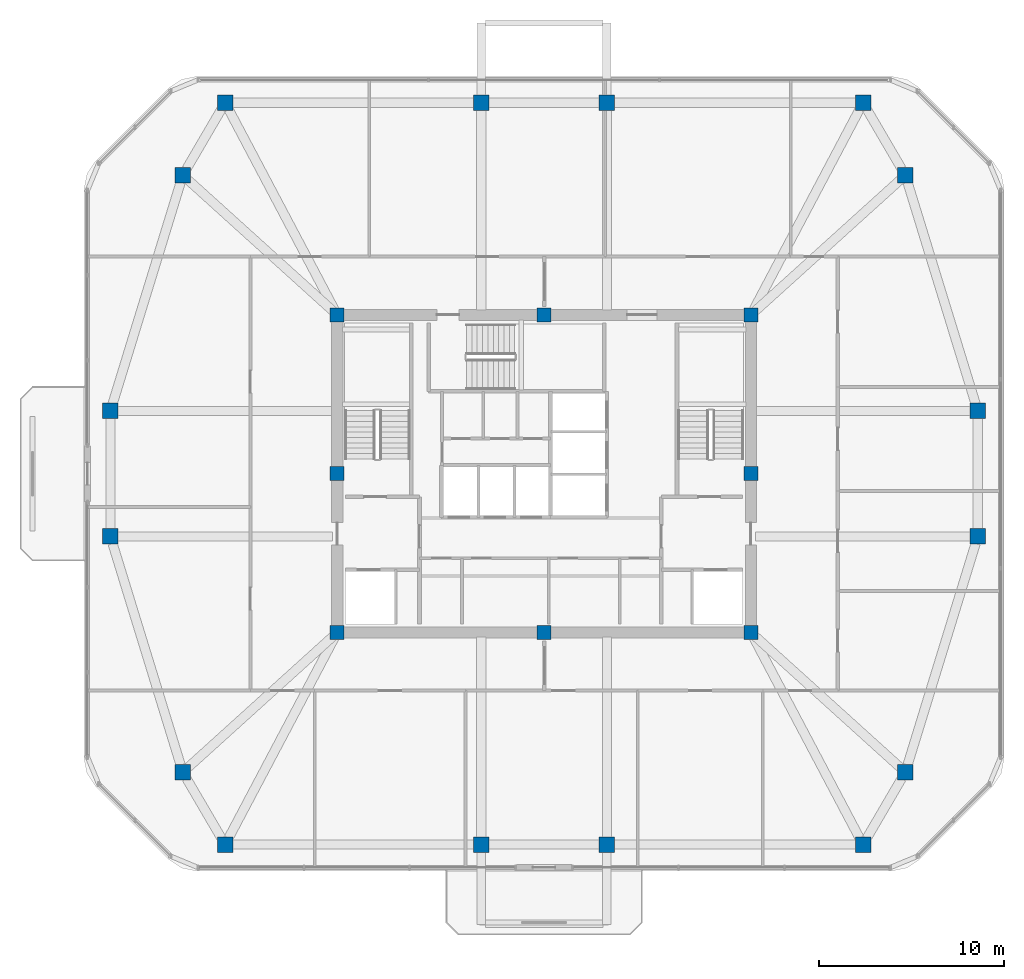
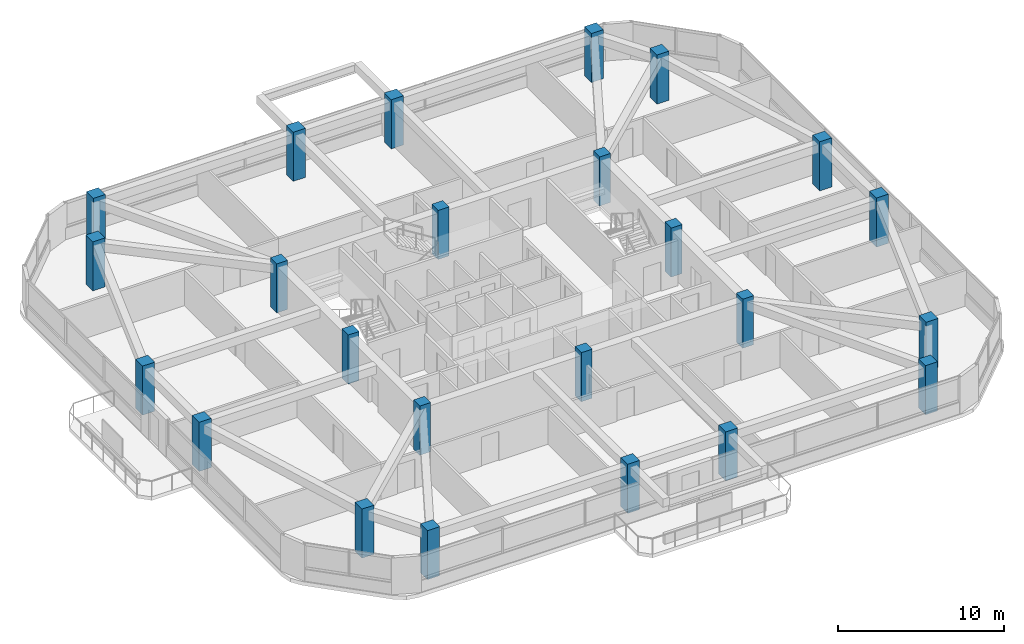
# One storey, part 1 of 12: 24 columns.
"""IFC4 building model written with IfcOpenShell, lengths in metres."""

from ifc_helpers import new_model, si_unit, derived_unit, direction, frame, origin, origin_2d, place, context, subcontext, project, spatial, rectangle, extrude, material, material_profile, profile_set, type_object, element, save


model = new_model("IFC4")

# Units and contexts
model_context = context("Model", 3, precision=1e-05, world=origin(), true_north=direction((0.0, 1.0)))
body_context = subcontext(model_context, "Body", "Model", "MODEL_VIEW")
ifc_project = project(units=[si_unit("LENGTHUNIT", "METRE"), si_unit("AREAUNIT", "SQUARE_METRE"), si_unit("VOLUMEUNIT", "CUBIC_METRE"), si_unit("PLANEANGLEUNIT", "RADIAN"), si_unit("MASSUNIT", "GRAM", prefix="KILO"), derived_unit("THERMALTRANSMITTANCEUNIT", [(si_unit("POWERUNIT", "WATT"), 1), (si_unit("LENGTHUNIT", "METRE"), -2), (si_unit("THERMODYNAMICTEMPERATUREUNIT", "KELVIN"), -1)])], contexts=[model_context])

# Site, building, storey
site_placement = place(None, origin())
site = spatial("IfcSite", under=ifc_project, at=site_placement, CompositionType="ELEMENT")
building_placement = place(site_placement, origin())
building = spatial("IfcBuilding", under=site, at=building_placement, Name="Koralith Skygarden Medical Center", CompositionType="ELEMENT")
storey_placement = place(building_placement, frame((0.0, 0.0, 278.820068359375)))
storey = spatial("IfcBuildingStorey", under=building, at=storey_placement, Name="L72", CompositionType="ELEMENT", Elevation=278.820068359375)

# Columns
ifc_material = material(Name="Concrete C55/67", Category="concrete")
ifc_material_profile_1 = material_profile(ifc_material, rectangle(XDim=0.760009765625, YDim=0.760009765625, at=origin_2d()), Name="RC760X760")
ifc_profile_set_1 = profile_set([ifc_material_profile_1], Name="Concrete C55/67")
column_type_1 = type_object("IfcColumnType", Name="Core Crown Column C55 RC760", PredefinedType="COLUMN", material=ifc_profile_set_1)
for number, where, z_axis, x_axis, name in (
    (1, (25.800048828125, 17.300048828125, 0.0), (0.0, 0.0, 1.0), (1.0, 0.0, 0.0), "L72 Core Column CC-01"),
    (2, (37.0, 17.300048828125, 0.0), (0.0, 0.0, 1.0), (1.0, 0.0, 0.0), "L72 Core Column CC-02"),
    (3, (48.199951171875, 17.300048828125, 0.0), (0.0, 0.0, 1.0), (1.0, 0.0, 0.0), "L72 Core Column CC-03"),
    (4, (48.199951171875, 25.89990234375, 0.0), (0.0, 0.0, 1.0), (1.0, 0.0, 0.0), "L72 Core Column CC-04"),
    (5, (48.199951171875, 34.5, 0.0), (0.0, 0.0, 1.0), (1.0, 0.0, 0.0), "L72 Core Column CC-05"),
    (6, (37.0, 34.5, 0.0), (0.0, 0.0, 1.0), (1.0, 0.0, 0.0), "L72 Core Column CC-06"),
    (7, (25.800048828125, 34.5, 0.0), (0.0, 0.0, 1.0), (1.0, 0.0, 0.0), "L72 Core Column CC-07"),
    (8, (25.800048828125, 25.89990234375, 0.0), (0.0, 0.0, 1.0), (1.0, 0.0, 0.0), "L72 Core Column CC-08"),
):
    element("IfcColumn", number, at=place(storey_placement, frame(where, z_axis=z_axis, x_axis=x_axis)), inside=storey, type_object=column_type_1, Name=name, PredefinedType="COLUMN", context=body_context, shape_type="SweptSolid", body=[
        extrude(rectangle(XDim=0.760009765625, YDim=0.760009765625, at=origin_2d()), origin(), (0.0, 0.0, 1.0), 3.599853515625),
    ])
ifc_material_profile_2 = material_profile(ifc_material, rectangle(XDim=0.840087890625, YDim=0.840087890625, at=origin_2d()), Name="RC840X840")
ifc_profile_set_2 = profile_set([ifc_material_profile_2], Name="Concrete C55/67")
column_type_2 = type_object("IfcColumnType", Name="Zone 5 Upper Mega-Column C55 RC840", PredefinedType="COLUMN", material=ifc_profile_set_2)
for number, where, z_axis, x_axis, name in (
    (9, (13.52001953125, 22.5, 0.0), (0.0, 0.0, 1.0), (1.0, 0.0, 0.0), "L72 Perimeter Mega-Column MC-01"),
    (10, (17.43994140625, 9.739990234375, 0.0), (0.0, 0.0, 1.0), (1.0, 0.0, 0.0), "L72 Perimeter Mega-Column MC-02"),
    (11, (19.73193359375, 5.820068359375, 0.0), (0.0, 0.0, 1.0), (1.0, 0.0, 0.0), "L72 Perimeter Mega-Column MC-03"),
    (12, (33.60009765625, 5.820068359375, 0.0), (0.0, 0.0, 1.0), (1.0, 0.0, 0.0), "L72 Perimeter Mega-Column MC-04"),
    (13, (40.39990234375, 5.820068359375, 0.0), (0.0, 0.0, 1.0), (1.0, 0.0, 0.0), "L72 Perimeter Mega-Column MC-05"),
    (14, (54.26806640625, 5.820068359375, 0.0), (0.0, 0.0, 1.0), (1.0, 0.0, 0.0), "L72 Perimeter Mega-Column MC-06"),
    (15, (56.56005859375, 9.739990234375, 0.0), (0.0, 0.0, 1.0), (1.0, 0.0, 0.0), "L72 Perimeter Mega-Column MC-07"),
    (16, (60.47998046875, 22.5, 0.0), (0.0, 0.0, 1.0), (1.0, 0.0, 0.0), "L72 Perimeter Mega-Column MC-08"),
    (17, (60.47998046875, 29.300048828125, 0.0), (0.0, 0.0, 1.0), (1.0, 0.0, 0.0), "L72 Perimeter Mega-Column MC-09"),
    (18, (56.56005859375, 42.06005859375, 0.0), (0.0, 0.0, 1.0), (1.0, 0.0, 0.0), "L72 Perimeter Mega-Column MC-10"),
    (19, (54.26806640625, 45.97998046875, 0.0), (0.0, 0.0, 1.0), (1.0, 0.0, 0.0), "L72 Perimeter Mega-Column MC-11"),
    (20, (40.39990234375, 45.97998046875, 0.0), (0.0, 0.0, 1.0), (1.0, 0.0, 0.0), "L72 Perimeter Mega-Column MC-12"),
    (21, (33.60009765625, 45.97998046875, 0.0), (0.0, 0.0, 1.0), (1.0, 0.0, 0.0), "L72 Perimeter Mega-Column MC-13"),
    (22, (19.73193359375, 45.97998046875, 0.0), (0.0, 0.0, 1.0), (1.0, 0.0, 0.0), "L72 Perimeter Mega-Column MC-14"),
    (23, (17.43994140625, 42.06005859375, 0.0), (0.0, 0.0, 1.0), (1.0, 0.0, 0.0), "L72 Perimeter Mega-Column MC-15"),
    (24, (13.52001953125, 29.300048828125, 0.0), (0.0, 0.0, 1.0), (1.0, 0.0, 0.0), "L72 Perimeter Mega-Column MC-16"),
):
    element("IfcColumn", number, at=place(storey_placement, frame(where, z_axis=z_axis, x_axis=x_axis)), inside=storey, type_object=column_type_2, Name=name, PredefinedType="COLUMN", context=body_context, shape_type="SweptSolid", body=[
        extrude(rectangle(XDim=0.840087890625, YDim=0.840087890625, at=origin_2d()), origin(), (0.0, 0.0, 1.0), 3.599853515625),
    ])

save(model, "model.ifc")
